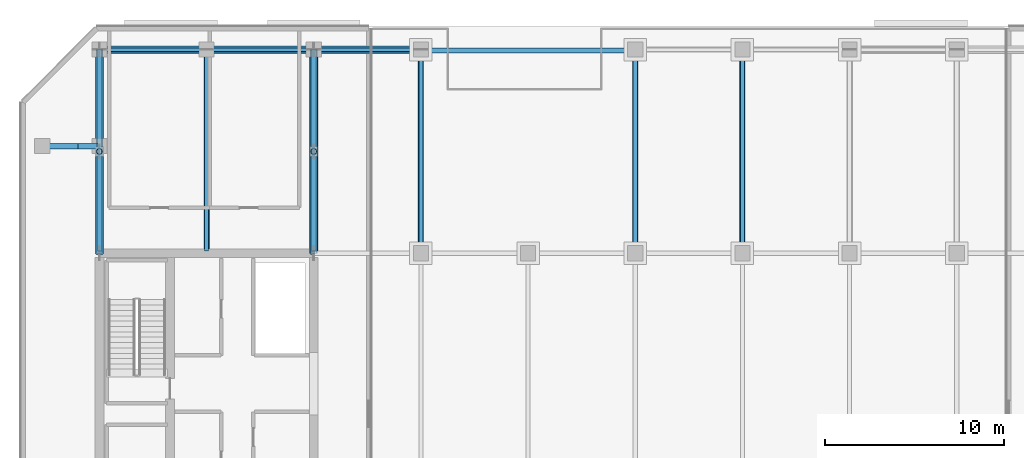
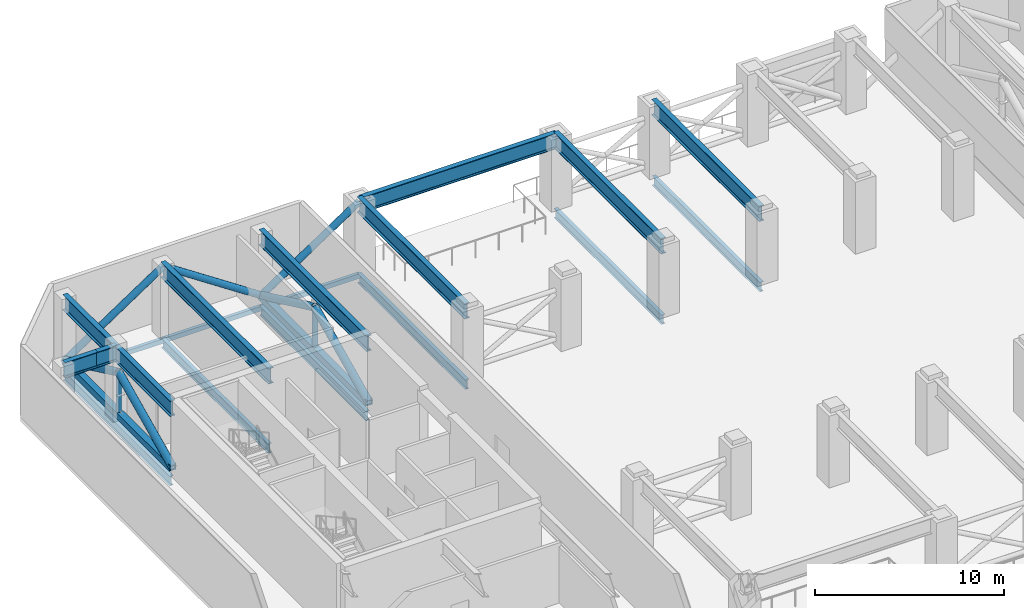
# One storey, part 4 of 18: 18 beams, 11 members.
"""IFC4 building model written with IfcOpenShell, lengths in metres."""

from ifc_helpers import new_model, si_unit, direction, frame, origin, origin_2d, place, context, subcontext, project, spatial, hollow_rectangle, hollow_circle, i_section, extrude, material, material_profile, profile_set, type_object, element, save


model = new_model("IFC4")

# Units and contexts
model_context = context("Model", 3, precision=1e-05, world=origin(), true_north=direction((0.0, 1.0)))
body_context = subcontext(model_context, "Body", "Model", "MODEL_VIEW")
ifc_project = project(units=[si_unit("LENGTHUNIT", "METRE"), si_unit("AREAUNIT", "SQUARE_METRE"), si_unit("VOLUMEUNIT", "CUBIC_METRE"), si_unit("PLANEANGLEUNIT", "RADIAN"), si_unit("MASSUNIT", "GRAM", prefix="KILO")], contexts=[model_context])

# Site, building, storey
site_placement = place(None, origin())
site = spatial("IfcSite", under=ifc_project, at=site_placement, CompositionType="ELEMENT")
building_placement = place(site_placement, origin())
building = spatial("IfcBuilding", under=site, at=building_placement, Name="Tanjung Sevakor Pilgrim Tower", CompositionType="ELEMENT")
storey_placement = place(building_placement, frame((0.0, 0.0, 172.919921875)))
storey = spatial("IfcBuildingStorey", under=building, at=storey_placement, Name="L48", CompositionType="ELEMENT", Elevation=172.919921875)

# Beams
ifc_material_1 = material(Name="Steel S355J2", Category="steel")
ifc_material_profile_1 = material_profile(ifc_material_1, i_section(OverallWidth=0.22900390625, OverallDepth=0.6123046875, WebThickness=0.011962890625, FlangeThickness=0.01953125, FilletRadius=0.0126953125, at=origin_2d()))
ifc_profile_set_1 = profile_set([ifc_material_profile_1], Name="Steel S355J2")
beam_type_1 = type_object("IfcBeamType", Name="BM-B-G4-UB_610x229x125", PredefinedType="BEAM", material=ifc_profile_set_1)
for number, where, z_axis, x_axis, name in (
    (1, (24.0, 42.715087890625, -0.5859375), (0.0, 1.0, 0.0), (-1.0, 0.0, 0.0), "L48 MAIN Girder 002"),
    (2, (30.0, 42.715087890625, -0.5859375), (0.0, 1.0, 0.0), (-1.0, 0.0, 0.0), "L48 MAIN Girder 004"),
    (3, (36.0, 42.715087890625, -0.5859375), (0.0, 1.0, 0.0), (-1.0, 0.0, 0.0), "L48 MAIN Girder 006"),
):
    element("IfcBeam", number, at=place(storey_placement, frame(where, z_axis=z_axis, x_axis=x_axis)), inside=storey, type_object=beam_type_1, Name=name, PredefinedType="BEAM", context=body_context, shape_type="SweptSolid", body=[
        extrude(i_section(OverallWidth=0.22900390625, OverallDepth=0.6123046875, WebThickness=0.011962890625, FlangeThickness=0.01953125, FilletRadius=0.0126953125, at=origin_2d()), origin(), (0.0, 0.0, 1.0), 11.284912109375),
    ])
for number, where, z_axis, x_axis, name in (
    (4, (42.0, 42.60009765625, -0.5859375), (0.0, 1.0, 0.0), (-1.0, 0.0, 0.0), "L48 MAIN Girder 009"),
    (5, (54.0, 42.60009765625, -0.5859375), (0.0, 1.0, 0.0), (-1.0, 0.0, 0.0), "L48 MAIN Girder 013"),
    (6, (60.0, 42.60009765625, -0.5859375), (0.0, 1.0, 0.0), (-1.0, 0.0, 0.0), "L48 MAIN Girder 016"),
):
    element("IfcBeam", number, at=place(storey_placement, frame(where, z_axis=z_axis, x_axis=x_axis)), inside=storey, type_object=beam_type_1, Name=name, PredefinedType="BEAM", context=body_context, shape_type="SweptSolid", body=[
        extrude(i_section(OverallWidth=0.22900390625, OverallDepth=0.6123046875, WebThickness=0.011962890625, FlangeThickness=0.01953125, FilletRadius=0.0126953125, at=origin_2d()), origin(), (0.0, 0.0, 1.0), 11.39990234375),
    ])
ifc_material_2 = material(Name="Steel S460M", Category="steel")
ifc_material_profile_2 = material_profile(ifc_material_2, i_section(OverallWidth=0.302001953125, OverallDepth=1.008056640625, WebThickness=0.02099609375, FlangeThickness=0.0400390625, FilletRadius=0.030029296875, at=origin_2d()))
ifc_profile_set_2 = profile_set([ifc_material_profile_2], Name="Steel S460M")
beam_type_2 = type_object("IfcBeamType", Name="BM-B-G7-HE_1000M", PredefinedType="BEAM", material=ifc_profile_set_2)
beam_1_placement = place(storey_placement, frame((20.800048828125, 48.60009765625, 4.166015625), z_axis=(1.0, 0.0, 0.0), x_axis=(0.0, 1.0, 0.0)))
element("IfcBeam", 7, at=beam_1_placement, inside=storey, type_object=beam_type_2, Name="L48 Short-End Setback Transfer Girder W Y48.6-1", PredefinedType="BEAM", context=body_context, shape_type="SweptSolid", body=[
    extrude(i_section(OverallWidth=0.302001953125, OverallDepth=1.008056640625, WebThickness=0.02099609375, FlangeThickness=0.0400390625, FilletRadius=0.030029296875, at=origin_2d()), origin(), (0.0, 0.0, 1.0), 2.0),
])
beam_2_placement = place(storey_placement, frame((22.800048828125, 48.60009765625, 4.166015625), z_axis=(1.0, 0.0, 0.0), x_axis=(0.0, 1.0, 0.0)))
element("IfcBeam", 8, at=beam_2_placement, inside=storey, type_object=beam_type_2, Name="L48 Short-End Setback Transfer Girder W Y48.6-2", PredefinedType="BEAM", context=body_context, shape_type="SweptSolid", body=[
    extrude(i_section(OverallWidth=0.302001953125, OverallDepth=1.008056640625, WebThickness=0.02099609375, FlangeThickness=0.0400390625, FilletRadius=0.030029296875, at=origin_2d()), origin(), (0.0, 0.0, 1.0), 1.199951171875),
])
beam_3_placement = place(storey_placement, frame((42.0, 53.949951171875, 4.166015625), z_axis=(1.0, 0.0, 0.0), x_axis=(0.0, 1.0, 0.0)))
element("IfcBeam", 9, at=beam_3_placement, inside=storey, type_object=beam_type_2, Name="L48 Setback Ring Transfer Girder N-01", PredefinedType="BEAM", context=body_context, shape_type="SweptSolid", body=[
    extrude(i_section(OverallWidth=0.302001953125, OverallDepth=1.008056640625, WebThickness=0.02099609375, FlangeThickness=0.0400390625, FilletRadius=0.030029296875, at=origin_2d()), origin(), (0.0, 0.0, 1.0), 12.0),
])
for number, where, z_axis, x_axis, name in (
    (10, (24.0, 42.60009765625, 4.166015625), (0.0, 1.0, 0.0), (-1.0, 0.0, 0.0), "L48 Setback Transfer Girder North X24-1"),
    (11, (30.0, 42.60009765625, 4.166015625), (0.0, 1.0, 0.0), (-1.0, 0.0, 0.0), "L48 Setback Transfer Girder North X30-1"),
    (12, (36.0, 42.60009765625, 4.166015625), (0.0, 1.0, 0.0), (-1.0, 0.0, 0.0), "L48 Setback Transfer Girder North X36-1"),
    (13, (42.0, 42.60009765625, 4.166015625), (0.0, 1.0, 0.0), (-1.0, 0.0, 0.0), "L48 Setback Transfer Girder North X42-1"),
    (14, (54.0, 42.60009765625, 4.166015625), (0.0, 1.0, 0.0), (-1.0, 0.0, 0.0), "L48 Setback Transfer Girder North X54-1"),
    (15, (60.0, 42.60009765625, 4.166015625), (0.0, 1.0, 0.0), (-1.0, 0.0, 0.0), "L48 Setback Transfer Girder North X60-1"),
):
    element("IfcBeam", number, at=place(storey_placement, frame(where, z_axis=z_axis, x_axis=x_axis)), inside=storey, type_object=beam_type_2, Name=name, PredefinedType="BEAM", context=body_context, shape_type="SweptSolid", body=[
        extrude(i_section(OverallWidth=0.302001953125, OverallDepth=1.008056640625, WebThickness=0.02099609375, FlangeThickness=0.0400390625, FilletRadius=0.030029296875, at=origin_2d()), origin(), (0.0, 0.0, 1.0), 11.39990234375),
    ])
ifc_material_3 = material(Name="Steel S355J2", Category="steel")
ifc_material_profile_3 = material_profile(ifc_material_3, hollow_rectangle(XDim=0.199951171875, YDim=0.300048828125, WallThickness=0.012451171875, at=origin_2d()))
ifc_profile_set_3 = profile_set([ifc_material_profile_3], Name="Steel S355J2")
beam_type_3 = type_object("IfcBeamType", Name="BM-B-SP3-RHS_300x200x12.5", PredefinedType="SPANDREL", material=ifc_profile_set_3)
for number, where, z_axis, x_axis, name in (
    (16, (24.0, 54.0, -0.429931640625), (1.0, 0.0, 0.0), (0.0, 1.0, 0.0), "L48 Spandrel MAIN N-02"),
    (17, (30.0, 54.0, -0.429931640625), (1.0, 0.0, 0.0), (0.0, 1.0, 0.0), "L48 Spandrel MAIN N-04"),
    (18, (36.0, 54.0, -0.429931640625), (1.0, 0.0, 0.0), (0.0, 1.0, 0.0), "L48 Spandrel MAIN N-06"),
):
    element("IfcBeam", number, at=place(storey_placement, frame(where, z_axis=z_axis, x_axis=x_axis)), inside=storey, type_object=beam_type_3, Name=name, PredefinedType="SPANDREL", context=body_context, shape_type="SweptSolid", body=[
        extrude(hollow_rectangle(XDim=0.199951171875, YDim=0.300048828125, WallThickness=0.012451171875, at=origin_2d()), origin(), (0.0, 0.0, 1.0), 6.0),
    ])

# Members
ifc_material_4 = material(Name="Steel S460M", Category="steel")
ifc_material_profile_4 = material_profile(ifc_material_4, hollow_circle(Radius=0.228515625, WallThickness=0.02490234375, at=origin_2d()))
ifc_profile_set_4 = profile_set([ifc_material_profile_4], Name="Steel S460M")
member_type_1 = type_object("IfcMemberType", Name="MEM-M-BR4-CHS_457x25", PredefinedType="BRACE", material=ifc_profile_set_4)
for number, where, z_axis, x_axis, name in (
    (19, (24.0, 42.60009765625, 0.35009765625), (0.0, 0.904352899591, 0.426785464843), (-1.0, 0.0, 0.0), "OT-2 L48 Outrigger Truss Diagonal 1 X24 N"),
    (20, (24.0, 48.300048828125, 3.0400390625), (0.0, 0.904352899591, -0.426785464843), (-1.0, 0.0, 0.0), "OT-2 L48 Outrigger Truss Diagonal 2 X24 N"),
    (21, (36.0, 42.60009765625, 0.35009765625), (0.0, 0.904352899591, 0.426785464843), (-1.0, 0.0, 0.0), "OT-2 L48 Outrigger Truss Diagonal 1 X36 N"),
    (22, (36.0, 48.300048828125, 3.0400390625), (0.0, 0.904352899591, -0.426785464843), (-1.0, 0.0, 0.0), "OT-2 L48 Outrigger Truss Diagonal 2 X36 N"),
):
    element("IfcMember", number, at=place(storey_placement, frame(where, z_axis=z_axis, x_axis=x_axis)), inside=storey, type_object=member_type_1, Name=name, PredefinedType="BRACE", context=body_context, shape_type="SweptSolid", body=[
        extrude(hollow_circle(Radius=0.228515625, WallThickness=0.02490234375, at=origin_2d()), origin(), (0.0, 0.0, 1.0), 6.302734375),
    ])
ifc_material_5 = material(Name="Steel S460M", Category="steel")
ifc_material_profile_5 = material_profile(ifc_material_5, hollow_circle(Radius=0.203125, WallThickness=0.02001953125, at=origin_2d()))
ifc_profile_set_5 = profile_set([ifc_material_profile_5], Name="Steel S460M")
member_type_2 = type_object("IfcMemberType", Name="MEM-M-BR5-CHS_406.4x20", PredefinedType="BRACE", material=ifc_profile_set_5)
for number, where, z_axis, x_axis, name in (
    (23, (24.0, 54.0, 0.35009765625), (0.832940851568, 0.0, 0.553362031395), (0.0, 1.0, 0.0), "BT-1 L48 Belt Truss Diagonal Brace N-01"),
    (24, (30.0, 54.0, 4.336181640625), (0.832940851568, 0.0, -0.553362031395), (0.0, 1.0, 0.0), "BT-1 L48 Belt Truss Diagonal Brace N-02"),
    (25, (36.0, 54.0, 0.35009765625), (0.832940851568, 0.0, 0.553362031395), (0.0, 1.0, 0.0), "BT-1 L48 Belt Truss Diagonal Brace N-03"),
):
    element("IfcMember", number, at=place(storey_placement, frame(where, z_axis=z_axis, x_axis=x_axis)), inside=storey, type_object=member_type_2, Name=name, PredefinedType="BRACE", context=body_context, shape_type="SweptSolid", body=[
        extrude(hollow_circle(Radius=0.203125, WallThickness=0.02001953125, at=origin_2d()), origin(), (0.0, 0.0, 1.0), 7.203369140625),
    ])
ifc_material_6 = material(Name="Steel S460M", Category="steel")
ifc_material_profile_6 = material_profile(ifc_material_6, hollow_rectangle(XDim=0.39990234375, YDim=0.39990234375, WallThickness=0.02001953125, at=origin_2d()))
ifc_profile_set_6 = profile_set([ifc_material_profile_6], Name="Steel S460M")
member_type_3 = type_object("IfcMemberType", Name="MEM-M-CH4-SHS_400x400x20", PredefinedType="CHORD", material=ifc_profile_set_6)
for number, where, z_axis, x_axis, name in (
    (26, (24.0, 42.60009765625, 0.35009765625), (0.0, 1.0, 0.0), (-1.0, 0.0, 0.0), "OT-1 L48 Outrigger Truss Chord X24 N"),
    (27, (36.0, 42.60009765625, 0.35009765625), (0.0, 1.0, 0.0), (-1.0, 0.0, 0.0), "OT-1 L48 Outrigger Truss Chord X36 N"),
):
    element("IfcMember", number, at=place(storey_placement, frame(where, z_axis=z_axis, x_axis=x_axis)), inside=storey, type_object=member_type_3, Name=name, PredefinedType="CHORD", context=body_context, shape_type="SweptSolid", body=[
        extrude(hollow_rectangle(XDim=0.39990234375, YDim=0.39990234375, WallThickness=0.02001953125, at=origin_2d()), origin(), (0.0, 0.0, 1.0), 11.39990234375),
    ])
ifc_material_7 = material(Name="Steel S460M", Category="steel")
ifc_material_profile_7 = material_profile(ifc_material_7, hollow_circle(Radius=0.161865234375, WallThickness=0.01611328125, at=origin_2d()))
ifc_profile_set_7 = profile_set([ifc_material_profile_7], Name="Steel S460M")
member_type_4 = type_object("IfcMemberType", Name="MEM-M-ST4-CHS_323.9x16", PredefinedType="STRUT", material=ifc_profile_set_7)
for number, where, z_axis, x_axis, name in (
    (28, (24.0, 48.300048828125, 0.35009765625), (0.0, 0.0, 1.0), (1.0, 0.0, 0.0), "OT-3 L48 Outrigger Truss Strut X24 N"),
    (29, (36.0, 48.300048828125, 0.35009765625), (0.0, 0.0, 1.0), (1.0, 0.0, 0.0), "OT-3 L48 Outrigger Truss Strut X36 N"),
):
    element("IfcMember", number, at=place(storey_placement, frame(where, z_axis=z_axis, x_axis=x_axis)), inside=storey, type_object=member_type_4, Name=name, PredefinedType="STRUT", context=body_context, shape_type="SweptSolid", body=[
        extrude(hollow_circle(Radius=0.161865234375, WallThickness=0.01611328125, at=origin_2d()), origin(), (0.0, 0.0, 1.0), 2.68994140625),
    ])

save(model, "model.ifc")
